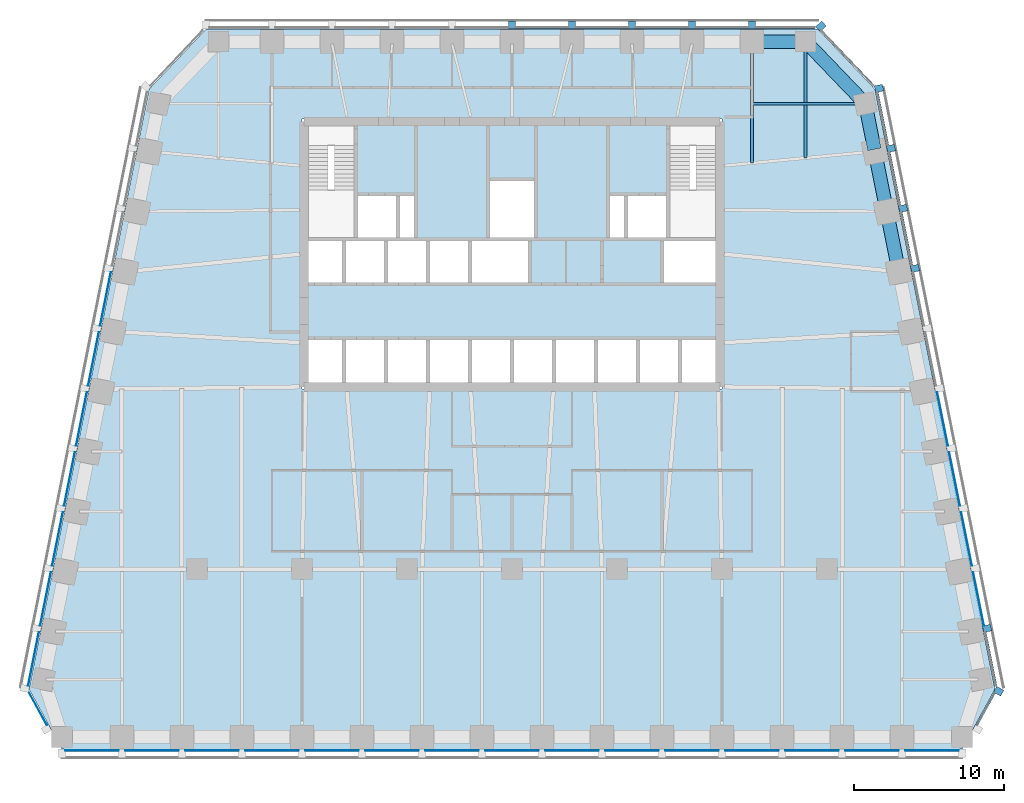
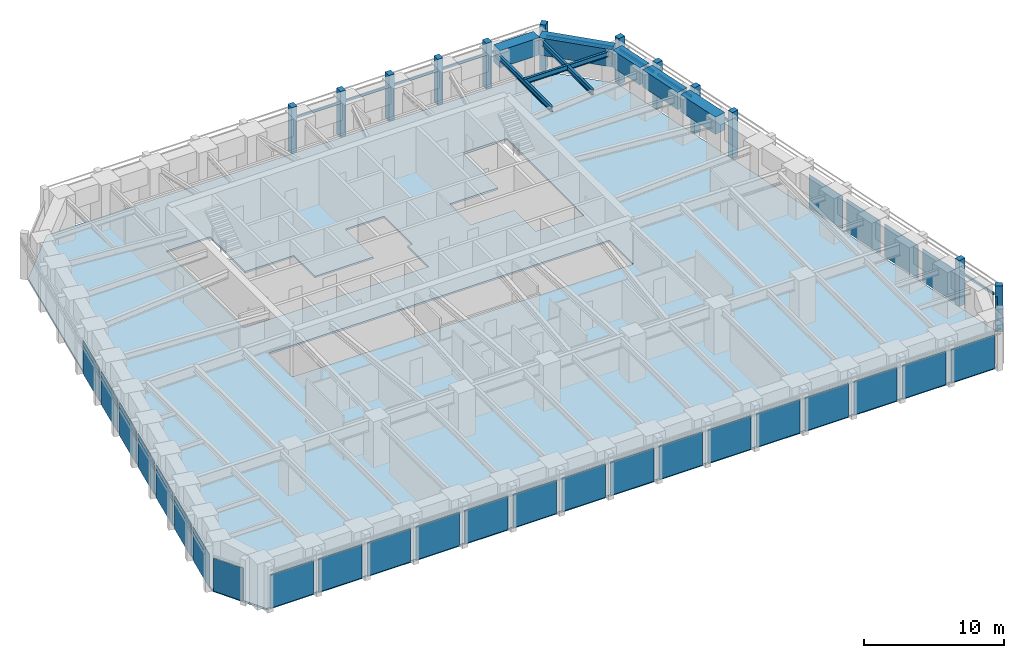
# One storey, part 4 of 9: 27 plates, 23 members, 8 beams, 1 slab, 7 elements without a shape of their own.
"""IFC4 building model written with IfcOpenShell, lengths in metres."""

from ifc_helpers import new_model, si_unit, direction, frame, origin, origin_2d, place, context, subcontext, project, spatial, polyline, rectangle, i_section, outline, extrude, material, layer, layer_set, material_profile, profile_set, type_object, element, aggregate, save


model = new_model("IFC4")

# Units and contexts
model_context = context("Model", 3, precision=1e-05, world=origin(), true_north=direction((0.0, 1.0)))
body_context = subcontext(model_context, "Body", "Model", "MODEL_VIEW")
ifc_project = project(units=[si_unit("LENGTHUNIT", "METRE"), si_unit("AREAUNIT", "SQUARE_METRE"), si_unit("VOLUMEUNIT", "CUBIC_METRE"), si_unit("PLANEANGLEUNIT", "RADIAN"), si_unit("MASSUNIT", "GRAM", prefix="KILO")], contexts=[model_context])

# Site, building, storey
site_placement = place(None, origin())
site = spatial("IfcSite", under=ifc_project, at=site_placement, CompositionType="ELEMENT")
building_placement = place(site_placement, origin())
building = spatial("IfcBuilding", under=site, at=building_placement, Name="Isbrekke Arena Tower", CompositionType="ELEMENT")
storey_placement = place(building_placement, frame((0.0, 0.0, 178.0)))
storey = spatial("IfcBuildingStorey", under=building, at=storey_placement, Name="L40", CompositionType="ELEMENT", Elevation=178.0)

# Beams
ifc_material_1 = material(Name="Steel S355", Category="steel")
ifc_material_profile_1 = material_profile(ifc_material_1, i_section(OverallWidth=0.18994140625, OverallDepth=0.449951171875, WebThickness=0.009521484375, FlangeThickness=0.0146484375, FilletRadius=0.02099609375, at=origin_2d()), Name="IPE 450")
ifc_profile_set_1 = profile_set([ifc_material_profile_1], Name="Steel S355")
beam_type_1 = type_object("IfcBeamType", Name="B2 IPE 450", PredefinedType="BEAM", material=ifc_profile_set_1)
beam_1_placement = place(storey_placement, frame((23.40283203125, 25.029296875, 3.625), z_axis=(-1.0, 0.0, 0.0), x_axis=(0.0, -1.0, 0.0)))
element("IfcBeam", 1, at=beam_1_placement, inside=storey, type_object=beam_type_1, Name="B2 beam E-E11 L40", PredefinedType="BEAM", context=body_context, shape_type="SweptSolid", body=[
    extrude(i_section(OverallWidth=0.18994140625, OverallDepth=0.449951171875, WebThickness=0.009521484375, FlangeThickness=0.0146484375, FilletRadius=0.02099609375, at=origin_2d()), origin(), (0.0, 0.0, 1.0), 7.40283203125),
])
ifc_material_2 = material(Name="Steel S355", Category="steel")
ifc_material_profile_2 = material_profile(ifc_material_2, i_section(OverallWidth=0.18994140625, OverallDepth=0.449951171875, WebThickness=0.009521484375, FlangeThickness=0.0146484375, FilletRadius=0.02099609375, at=origin_2d()), Name="IPE 450")
ifc_profile_set_2 = profile_set([ifc_material_profile_2], Name="Steel S355")
beam_type_2 = type_object("IfcBeamType", Name="B3 IPE 450", PredefinedType="BEAM", material=ifc_profile_set_2)
beam_2_placement = place(storey_placement, frame((19.574951171875, 29.02490234375, 3.625), z_axis=(0.0, -1.0, 0.0), x_axis=(1.0, 0.0, 0.0)))
element("IfcBeam", 2, at=beam_2_placement, inside=storey, type_object=beam_type_2, Name="B3 beam N-N01 L40", PredefinedType="BEAM", context=body_context, shape_type="SweptSolid", body=[
    extrude(i_section(OverallWidth=0.18994140625, OverallDepth=0.449951171875, WebThickness=0.009521484375, FlangeThickness=0.0146484375, FilletRadius=0.02099609375, at=origin_2d()), origin(), (0.0, 0.0, 1.0), 7.6103515625),
])
beam_3_placement = place(storey_placement, frame((16.0, 29.02490234375, 3.625), z_axis=(0.0, -1.0, 0.0), x_axis=(1.0, 0.0, 0.0)))
element("IfcBeam", 3, at=beam_3_placement, inside=storey, type_object=beam_type_2, Name="B3 beam N-N02 L40", PredefinedType="BEAM", context=body_context, shape_type="SweptSolid", body=[
    extrude(i_section(OverallWidth=0.18994140625, OverallDepth=0.449951171875, WebThickness=0.009521484375, FlangeThickness=0.0146484375, FilletRadius=0.02099609375, at=origin_2d()), origin(), (0.0, 0.0, 1.0), 7.949462890625),
])

# Curtain wall, member
ifc_material_3 = material(Name="Glazed aluminium curtain wall", Category="aluminium")
curtain_wall_type = type_object("IfcCurtainWallType", Name="CWH TOWER CURTAIN WALL HIGH ZONE", PredefinedType="USERDEFINED", material=ifc_material_3)
curtain_wall_1_placement = place(storey_placement, origin())
curtain_wall_1 = element("IfcCurtainWall", 4, at=curtain_wall_1_placement, inside=storey, type_object=curtain_wall_type, Name="CWH curtain wall L40-SE", ObjectType="TOWER CURTAIN WALL HIGH ZONE", PredefinedType="USERDEFINED")
ifc_material_4 = material(Name="Aluminium mullion, pale brick slip cladding", Category="masonry")
ifc_material_profile_3 = material_profile(ifc_material_4, rectangle(XDim=0.449951171875, YDim=0.550048828125, at=origin_2d()), Name="PIER 450X550")
ifc_profile_set_3 = profile_set([ifc_material_profile_3], Name="Aluminium mullion, pale brick slip cladding")
member_type_1 = type_object("IfcMemberType", Name="CWH-M PIER MULLION 450 x 550", PredefinedType="MULLION", material=ifc_profile_set_3)
member_1_placement = place(storey_placement, frame((32.44091796875, -14.132568359375, 0.0), z_axis=(0.0, 0.0, 1.0), x_axis=(0.481918749773, 0.876215908676, 0.0)))
member_1 = element("IfcMember", 5, at=member_1_placement, type_object=member_type_1, Name="CWH-M mullion 2", PredefinedType="MULLION", context=body_context, shape_type="SweptSolid", body=[
    extrude(rectangle(XDim=0.449951171875, YDim=0.550048828125, at=origin_2d()), origin(), (0.0, 0.0, 1.0), 4.0),
])

# Curtain wall, members
curtain_wall_2_placement = place(storey_placement, origin())
curtain_wall_2 = element("IfcCurtainWall", 6, at=curtain_wall_2_placement, inside=storey, type_object=curtain_wall_type, Name="CWH curtain wall L40-E", ObjectType="TOWER CURTAIN WALL HIGH ZONE", PredefinedType="USERDEFINED")
member_2_placement = place(storey_placement, frame((31.669677734375, -9.946044921875, 0.0), z_axis=(0.0, 0.0, 1.0), x_axis=(-0.196116135138, 0.980580675691, 0.0)))
member_2 = element("IfcMember", 7, at=member_2_placement, type_object=member_type_1, Name="CWH-M mullion 1", PredefinedType="MULLION", context=body_context, shape_type="SweptSolid", body=[
    extrude(rectangle(XDim=0.449951171875, YDim=0.550048828125, at=origin_2d()), origin(), (0.0, 0.0, 1.0), 4.0),
])
member_3_placement = place(storey_placement, frame((26.86962890625, 14.053955078125, 0.0), z_axis=(0.0, 0.0, 1.0), x_axis=(-0.196116135138, 0.980580675691, 0.0)))
member_3 = element("IfcMember", 8, at=member_3_placement, type_object=member_type_1, Name="CWH-M mullion 7", PredefinedType="MULLION", context=body_context, shape_type="SweptSolid", body=[
    extrude(rectangle(XDim=0.449951171875, YDim=0.550048828125, at=origin_2d()), origin(), (0.0, 0.0, 1.0), 4.0),
])
member_4_placement = place(storey_placement, frame((26.069580078125, 18.053955078125, 0.0), z_axis=(0.0, 0.0, 1.0), x_axis=(-0.196116135138, 0.980580675691, 0.0)))
member_4 = element("IfcMember", 9, at=member_4_placement, type_object=member_type_1, Name="CWH-M mullion 8", PredefinedType="MULLION", context=body_context, shape_type="SweptSolid", body=[
    extrude(rectangle(XDim=0.449951171875, YDim=0.550048828125, at=origin_2d()), origin(), (0.0, 0.0, 1.0), 4.0),
])
member_5_placement = place(storey_placement, frame((25.269775390625, 22.053955078125, 0.0), z_axis=(0.0, 0.0, 1.0), x_axis=(-0.196116135138, 0.980580675691, 0.0)))
member_5 = element("IfcMember", 10, at=member_5_placement, type_object=member_type_1, Name="CWH-M mullion 9", PredefinedType="MULLION", context=body_context, shape_type="SweptSolid", body=[
    extrude(rectangle(XDim=0.449951171875, YDim=0.550048828125, at=origin_2d()), origin(), (0.0, 0.0, 1.0), 4.0),
])
member_6_placement = place(storey_placement, frame((24.4697265625, 26.053955078125, 0.0), z_axis=(0.0, 0.0, 1.0), x_axis=(-0.196116135138, 0.980580675691, 0.0)))
member_6 = element("IfcMember", 11, at=member_6_placement, type_object=member_type_1, Name="CWH-M mullion 10", PredefinedType="MULLION", context=body_context, shape_type="SweptSolid", body=[
    extrude(rectangle(XDim=0.449951171875, YDim=0.550048828125, at=origin_2d()), origin(), (0.0, 0.0, 1.0), 4.0),
])

# Curtain wall, member
curtain_wall_3_placement = place(storey_placement, origin())
curtain_wall_3 = element("IfcCurtainWall", 12, at=curtain_wall_3_placement, inside=storey, type_object=curtain_wall_type, Name="CWH curtain wall L40-EN", ObjectType="TOWER CURTAIN WALL HIGH ZONE", PredefinedType="USERDEFINED")
member_7_placement = place(storey_placement, frame((20.599365234375, 30.189453125, 0.0), z_axis=(0.0, 0.0, 1.0), x_axis=(-0.68874946192, 0.72499943359, 0.0)))
member_7 = element("IfcMember", 13, at=member_7_placement, type_object=member_type_1, Name="CWH-M mullion 1", PredefinedType="MULLION", context=body_context, shape_type="SweptSolid", body=[
    extrude(rectangle(XDim=0.449951171875, YDim=0.550048828125, at=origin_2d()), origin(), (0.0, 0.0, 1.0), 4.0),
])

# Curtain wall, members
curtain_wall_4_placement = place(storey_placement, origin())
curtain_wall_4 = element("IfcCurtainWall", 14, at=curtain_wall_4_placement, inside=storey, type_object=curtain_wall_type, Name="CWH curtain wall L40-N", ObjectType="TOWER CURTAIN WALL HIGH ZONE", PredefinedType="USERDEFINED")
member_8_placement = place(storey_placement, frame((16.0, 30.27490234375, 0.0), z_axis=(0.0, 0.0, 1.0), x_axis=(-1.0, 0.0, 0.0)))
member_8 = element("IfcMember", 15, at=member_8_placement, type_object=member_type_1, Name="CWH-M mullion 1", PredefinedType="MULLION", context=body_context, shape_type="SweptSolid", body=[
    extrude(rectangle(XDim=0.449951171875, YDim=0.550048828125, at=origin_2d()), origin(), (0.0, 0.0, 1.0), 4.0),
])
member_9_placement = place(storey_placement, frame((12.0, 30.27490234375, 0.0), z_axis=(0.0, 0.0, 1.0), x_axis=(-1.0, 0.0, 0.0)))
member_9 = element("IfcMember", 16, at=member_9_placement, type_object=member_type_1, Name="CWH-M mullion 2", PredefinedType="MULLION", context=body_context, shape_type="SweptSolid", body=[
    extrude(rectangle(XDim=0.449951171875, YDim=0.550048828125, at=origin_2d()), origin(), (0.0, 0.0, 1.0), 4.0),
])
member_10_placement = place(storey_placement, frame((8.0, 30.27490234375, 0.0), z_axis=(0.0, 0.0, 1.0), x_axis=(-1.0, 0.0, 0.0)))
member_10 = element("IfcMember", 17, at=member_10_placement, type_object=member_type_1, Name="CWH-M mullion 3", PredefinedType="MULLION", context=body_context, shape_type="SweptSolid", body=[
    extrude(rectangle(XDim=0.449951171875, YDim=0.550048828125, at=origin_2d()), origin(), (0.0, 0.0, 1.0), 4.0),
])
member_11_placement = place(storey_placement, frame((4.0, 30.27490234375, 0.0), z_axis=(0.0, 0.0, 1.0), x_axis=(-1.0, 0.0, 0.0)))
member_11 = element("IfcMember", 18, at=member_11_placement, type_object=member_type_1, Name="CWH-M mullion 4", PredefinedType="MULLION", context=body_context, shape_type="SweptSolid", body=[
    extrude(rectangle(XDim=0.449951171875, YDim=0.550048828125, at=origin_2d()), origin(), (0.0, 0.0, 1.0), 4.0),
])
member_12_placement = place(storey_placement, frame((0.0, 30.27490234375, 0.0), z_axis=(0.0, 0.0, 1.0), x_axis=(-1.0, 0.0, 0.0)))
member_12 = element("IfcMember", 19, at=member_12_placement, type_object=member_type_1, Name="CWH-M mullion 5", PredefinedType="MULLION", context=body_context, shape_type="SweptSolid", body=[
    extrude(rectangle(XDim=0.449951171875, YDim=0.550048828125, at=origin_2d()), origin(), (0.0, 0.0, 1.0), 4.0),
])

# Member
ifc_material_5 = material(Name="Aluminium transom", Category="aluminium")
ifc_material_profile_4 = material_profile(ifc_material_5, rectangle(XDim=0.1201171875, YDim=0.199951171875, at=origin_2d()), Name="TRANSOM 120X200")
ifc_profile_set_4 = profile_set([ifc_material_profile_4], Name="Aluminium transom")
member_type_2 = type_object("IfcMemberType", Name="CWH-T TRANSOM 120 x 200", PredefinedType="USERDEFINED", material=ifc_profile_set_4)
member_13_placement = place(storey_placement, frame((31.002197265625, -16.38525390625, 3.0), z_axis=(0.481937937062, 0.876205355393, 0.0), x_axis=(-0.876205355393, 0.481937937062, 0.0)))
member_13 = element("IfcMember", 20, at=member_13_placement, type_object=member_type_2, Name="CWH-T transom 1", ObjectType="TRANSOM", PredefinedType="USERDEFINED", context=body_context, shape_type="SweptSolid", body=[
    extrude(rectangle(XDim=0.1201171875, YDim=0.199951171875, at=origin_2d()), origin(), (0.0, 0.0, 1.0), 2.442138671875),
])

aggregate(curtain_wall_1, [member_1, member_13])

member_14_placement = place(storey_placement, frame((32.25390625, -13.759765625, 3.0), z_axis=(-0.196090262229, 0.980585849918, 0.0), x_axis=(-0.980585849918, -0.196090262229, 0.0)))
member_14 = element("IfcMember", 21, at=member_14_placement, type_object=member_type_2, Name="CWH-T transom 1", ObjectType="TRANSOM", PredefinedType="USERDEFINED", context=body_context, shape_type="SweptSolid", body=[
    extrude(rectangle(XDim=0.1201171875, YDim=0.199951171875, at=origin_2d()), origin(), (0.0, 0.0, 1.0), 3.62939453125),
])

member_15_placement = place(storey_placement, frame((26.654052734375, 14.240234375, 3.0), z_axis=(-0.196154943734, 0.980572913173, 0.0), x_axis=(-0.980572913173, -0.196154943734, 0.0)))
member_15 = element("IfcMember", 22, at=member_15_placement, type_object=member_type_2, Name="CWH-T transom 8", ObjectType="TRANSOM", PredefinedType="USERDEFINED", context=body_context, shape_type="SweptSolid", body=[
    extrude(rectangle(XDim=0.1201171875, YDim=0.199951171875, at=origin_2d()), origin(), (0.0, 0.0, 1.0), 3.62939453125),
])

member_16_placement = place(storey_placement, frame((25.85400390625, 18.240234375, 3.0), z_axis=(-0.196154943734, 0.980572913173, 0.0), x_axis=(-0.980572913173, -0.196154943734, 0.0)))
member_16 = element("IfcMember", 23, at=member_16_placement, type_object=member_type_2, Name="CWH-T transom 9", ObjectType="TRANSOM", PredefinedType="USERDEFINED", context=body_context, shape_type="SweptSolid", body=[
    extrude(rectangle(XDim=0.1201171875, YDim=0.199951171875, at=origin_2d()), origin(), (0.0, 0.0, 1.0), 3.62939453125),
])

member_17_placement = place(storey_placement, frame((25.053955078125, 22.240234375, 3.0), z_axis=(-0.196090262229, 0.980585849918, 0.0), x_axis=(-0.980585849918, -0.196090262229, 0.0)))
member_17 = element("IfcMember", 24, at=member_17_placement, type_object=member_type_2, Name="CWH-T transom 10", ObjectType="TRANSOM", PredefinedType="USERDEFINED", context=body_context, shape_type="SweptSolid", body=[
    extrude(rectangle(XDim=0.1201171875, YDim=0.199951171875, at=origin_2d()), origin(), (0.0, 0.0, 1.0), 3.62939453125),
])

member_18_placement = place(storey_placement, frame((24.117431640625, 26.23193359375, 3.0), z_axis=(-0.688734266994, 0.725013868466, 0.0), x_axis=(-0.725013868466, -0.688734266994, 0.0)))
member_18 = element("IfcMember", 25, at=member_18_placement, type_object=member_type_2, Name="CWH-T transom 1", ObjectType="TRANSOM", PredefinedType="USERDEFINED", context=body_context, shape_type="SweptSolid", body=[
    extrude(rectangle(XDim=0.1201171875, YDim=0.199951171875, at=origin_2d()), origin(), (0.0, 0.0, 1.0), 5.067138671875),
])

aggregate(curtain_wall_3, [member_7, member_18])

member_19_placement = place(storey_placement, frame((20.175048828125, 30.10009765625, 3.0), z_axis=(-1.0, 0.0, 0.0), x_axis=(0.0, -1.0, 0.0)))
member_19 = element("IfcMember", 26, at=member_19_placement, type_object=member_type_2, Name="CWH-T transom 1", ObjectType="TRANSOM", PredefinedType="USERDEFINED", context=body_context, shape_type="SweptSolid", body=[
    extrude(rectangle(XDim=0.1201171875, YDim=0.199951171875, at=origin_2d()), origin(), (0.0, 0.0, 1.0), 3.949951171875),
])

member_20_placement = place(storey_placement, frame((15.77490234375, 30.10009765625, 3.0), z_axis=(-1.0, 0.0, 0.0), x_axis=(0.0, -1.0, 0.0)))
member_20 = element("IfcMember", 27, at=member_20_placement, type_object=member_type_2, Name="CWH-T transom 2", ObjectType="TRANSOM", PredefinedType="USERDEFINED", context=body_context, shape_type="SweptSolid", body=[
    extrude(rectangle(XDim=0.1201171875, YDim=0.199951171875, at=origin_2d()), origin(), (0.0, 0.0, 1.0), 3.5498046875),
])

member_21_placement = place(storey_placement, frame((11.77490234375, 30.10009765625, 3.0), z_axis=(-1.0, 0.0, 0.0), x_axis=(0.0, -1.0, 0.0)))
member_21 = element("IfcMember", 28, at=member_21_placement, type_object=member_type_2, Name="CWH-T transom 3", ObjectType="TRANSOM", PredefinedType="USERDEFINED", context=body_context, shape_type="SweptSolid", body=[
    extrude(rectangle(XDim=0.1201171875, YDim=0.199951171875, at=origin_2d()), origin(), (0.0, 0.0, 1.0), 3.5498046875),
])

member_22_placement = place(storey_placement, frame((7.77490234375, 30.10009765625, 3.0), z_axis=(-1.0, 0.0, 0.0), x_axis=(0.0, -1.0, 0.0)))
member_22 = element("IfcMember", 29, at=member_22_placement, type_object=member_type_2, Name="CWH-T transom 4", ObjectType="TRANSOM", PredefinedType="USERDEFINED", context=body_context, shape_type="SweptSolid", body=[
    extrude(rectangle(XDim=0.1201171875, YDim=0.199951171875, at=origin_2d()), origin(), (0.0, 0.0, 1.0), 3.5498046875),
])

member_23_placement = place(storey_placement, frame((3.77490234375, 30.10009765625, 3.0), z_axis=(-1.0, 0.0, 0.0), x_axis=(0.0, -1.0, 0.0)))
member_23 = element("IfcMember", 30, at=member_23_placement, type_object=member_type_2, Name="CWH-T transom 5", ObjectType="TRANSOM", PredefinedType="USERDEFINED", context=body_context, shape_type="SweptSolid", body=[
    extrude(rectangle(XDim=0.1201171875, YDim=0.199951171875, at=origin_2d()), origin(), (0.0, 0.0, 1.0), 3.5498046875),
])

aggregate(curtain_wall_4, [member_8, member_9, member_10, member_11, member_12, member_19, member_20, member_21, member_22, member_23])

# Beams
ifc_material_6 = material(Name="Concrete B65 (C65/80)", Category="concrete")
ifc_material_profile_5 = material_profile(ifc_material_6, rectangle(XDim=0.89990234375, YDim=1.5, at=origin_2d()), Name="RC 900x1500")
ifc_profile_set_5 = profile_set([ifc_material_profile_5], Name="Concrete B65 (C65/80)")
beam_type_3 = type_object("IfcBeamType", Name="SB3 RC 900 x 1500", PredefinedType="SPANDREL", material=ifc_profile_set_5)
for number, where, z_axis, x_axis, name in (
    (31, (25.76171875, 13.9853515625, 3.25), (-0.196128558387, 0.980578190959, 0.0), (-0.980578190959, -0.196128558387, 0.0), "SB3 spandrel E08-E09 L40"),
    (32, (24.961669921875, 17.9853515625, 3.25), (-0.196128558387, 0.980578190959, 0.0), (-0.980578190959, -0.196128558387, 0.0), "SB3 spandrel E09-E10 L40"),
):
    element("IfcBeam", number, at=place(storey_placement, frame(where, z_axis=z_axis, x_axis=x_axis)), inside=storey, type_object=beam_type_3, Name=name, PredefinedType="SPANDREL", context=body_context, shape_type="SweptSolid", body=[
        extrude(rectangle(XDim=0.89990234375, YDim=1.5, at=origin_2d()), origin(), (0.0, 0.0, 1.0), 3.779296875),
    ])
beam_4_placement = place(storey_placement, frame((24.16162109375, 21.9853515625, 3.25), z_axis=(-0.196116135138, 0.980580675691, 0.0), x_axis=(-0.980580675691, -0.196116135138, 0.0)))
element("IfcBeam", 33, at=beam_4_placement, inside=storey, type_object=beam_type_3, Name="SB3 spandrel E10-E11 L40", PredefinedType="SPANDREL", context=body_context, shape_type="SweptSolid", body=[
    extrude(rectangle(XDim=0.89990234375, YDim=1.5, at=origin_2d()), origin(), (0.0, 0.0, 1.0), 2.9541015625),
])
beam_5_placement = place(storey_placement, frame((23.448974609375, 25.137451171875, 3.25), z_axis=(-0.692339547635, 0.721571861134, 0.0), x_axis=(-0.721571861134, -0.692339547635, 0.0)))
element("IfcBeam", 34, at=beam_5_placement, inside=storey, type_object=beam_type_3, Name="SB3 spandrel E11-N01 L40", PredefinedType="SPANDREL", context=body_context, shape_type="SweptSolid", body=[
    extrude(rectangle(XDim=0.89990234375, YDim=1.5, at=origin_2d()), origin(), (0.0, 0.0, 1.0), 5.4453125),
])
beam_6_placement = place(storey_placement, frame((19.425048828125, 29.175048828125, 3.25), z_axis=(-1.0, 0.0, 0.0), x_axis=(0.0, -1.0, 0.0)))
element("IfcBeam", 35, at=beam_6_placement, inside=storey, type_object=beam_type_3, Name="SB3 spandrel N01-N02 L40", PredefinedType="SPANDREL", context=body_context, shape_type="SweptSolid", body=[
    extrude(rectangle(XDim=0.89990234375, YDim=1.5, at=origin_2d()), origin(), (0.0, 0.0, 1.0), 3.275146484375),
])

# Curtain wall, plates
curtain_wall_5_placement = place(storey_placement, origin())
curtain_wall_5 = element("IfcCurtainWall", 36, at=curtain_wall_5_placement, inside=storey, type_object=curtain_wall_type, Name="CWH curtain wall L40-S", ObjectType="TOWER CURTAIN WALL HIGH ZONE", PredefinedType="USERDEFINED")
ifc_material_7 = material(Name="Triple-glazed clear glass unit", Category="glass")
ifc_layer_1 = layer(ifc_material_7, 0.031982421875)
ifc_layer_set_1 = layer_set([ifc_layer_1], Name="CWH-P VISION PANEL")
plate_type = type_object("IfcPlateType", Name="CWH-P VISION PANEL", PredefinedType="CURTAIN_PANEL", material=ifc_layer_set_1)
plate_1_placement = place(storey_placement, frame((-28.0, -18.10009765625, 0.02001953125), z_axis=(0.0, 0.0, 1.0), x_axis=(1.0, 0.0, 0.0)))
plate_1 = element("IfcPlate", 37, at=plate_1_placement, type_object=plate_type, Name="CWH-P panel 1", PredefinedType="CURTAIN_PANEL", context=body_context, shape_type="SweptSolid", body=[
    extrude(rectangle(XDim=3.550048828125, YDim=0.031982421875, at=origin_2d()), origin(), (0.0, 0.0, 1.0), 2.8798828125),
])
plate_2_placement = place(storey_placement, frame((-24.0, -18.10009765625, 0.02001953125), z_axis=(0.0, 0.0, 1.0), x_axis=(1.0, 0.0, 0.0)))
plate_2 = element("IfcPlate", 38, at=plate_2_placement, type_object=plate_type, Name="CWH-P panel 2", PredefinedType="CURTAIN_PANEL", context=body_context, shape_type="SweptSolid", body=[
    extrude(rectangle(XDim=3.550048828125, YDim=0.031982421875, at=origin_2d()), origin(), (0.0, 0.0, 1.0), 2.8798828125),
])
plate_3_placement = place(storey_placement, frame((-20.0, -18.10009765625, 0.02001953125), z_axis=(0.0, 0.0, 1.0), x_axis=(1.0, 0.0, 0.0)))
plate_3 = element("IfcPlate", 39, at=plate_3_placement, type_object=plate_type, Name="CWH-P panel 3", PredefinedType="CURTAIN_PANEL", context=body_context, shape_type="SweptSolid", body=[
    extrude(rectangle(XDim=3.550048828125, YDim=0.031982421875, at=origin_2d()), origin(), (0.0, 0.0, 1.0), 2.8798828125),
])
plate_4_placement = place(storey_placement, frame((-16.0, -18.10009765625, 0.02001953125), z_axis=(0.0, 0.0, 1.0), x_axis=(1.0, 0.0, 0.0)))
plate_4 = element("IfcPlate", 40, at=plate_4_placement, type_object=plate_type, Name="CWH-P panel 4", PredefinedType="CURTAIN_PANEL", context=body_context, shape_type="SweptSolid", body=[
    extrude(rectangle(XDim=3.550048828125, YDim=0.031982421875, at=origin_2d()), origin(), (0.0, 0.0, 1.0), 2.8798828125),
])
plate_5_placement = place(storey_placement, frame((-12.0, -18.10009765625, 0.02001953125), z_axis=(0.0, 0.0, 1.0), x_axis=(1.0, 0.0, 0.0)))
plate_5 = element("IfcPlate", 41, at=plate_5_placement, type_object=plate_type, Name="CWH-P panel 5", PredefinedType="CURTAIN_PANEL", context=body_context, shape_type="SweptSolid", body=[
    extrude(rectangle(XDim=3.550048828125, YDim=0.031982421875, at=origin_2d()), origin(), (0.0, 0.0, 1.0), 2.8798828125),
])
plate_6_placement = place(storey_placement, frame((-8.0, -18.10009765625, 0.02001953125), z_axis=(0.0, 0.0, 1.0), x_axis=(1.0, 0.0, 0.0)))
plate_6 = element("IfcPlate", 42, at=plate_6_placement, type_object=plate_type, Name="CWH-P panel 6", PredefinedType="CURTAIN_PANEL", context=body_context, shape_type="SweptSolid", body=[
    extrude(rectangle(XDim=3.550048828125, YDim=0.031982421875, at=origin_2d()), origin(), (0.0, 0.0, 1.0), 2.8798828125),
])
plate_7_placement = place(storey_placement, frame((-4.0, -18.10009765625, 0.02001953125), z_axis=(0.0, 0.0, 1.0), x_axis=(1.0, 0.0, 0.0)))
plate_7 = element("IfcPlate", 43, at=plate_7_placement, type_object=plate_type, Name="CWH-P panel 7", PredefinedType="CURTAIN_PANEL", context=body_context, shape_type="SweptSolid", body=[
    extrude(rectangle(XDim=3.550048828125, YDim=0.031982421875, at=origin_2d()), origin(), (0.0, 0.0, 1.0), 2.8798828125),
])
plate_8_placement = place(storey_placement, frame((0.0, -18.10009765625, 0.02001953125), z_axis=(0.0, 0.0, 1.0), x_axis=(1.0, 0.0, 0.0)))
plate_8 = element("IfcPlate", 44, at=plate_8_placement, type_object=plate_type, Name="CWH-P panel 8", PredefinedType="CURTAIN_PANEL", context=body_context, shape_type="SweptSolid", body=[
    extrude(rectangle(XDim=3.550048828125, YDim=0.031982421875, at=origin_2d()), origin(), (0.0, 0.0, 1.0), 2.8798828125),
])
plate_9_placement = place(storey_placement, frame((4.0, -18.10009765625, 0.02001953125), z_axis=(0.0, 0.0, 1.0), x_axis=(1.0, 0.0, 0.0)))
plate_9 = element("IfcPlate", 45, at=plate_9_placement, type_object=plate_type, Name="CWH-P panel 9", PredefinedType="CURTAIN_PANEL", context=body_context, shape_type="SweptSolid", body=[
    extrude(rectangle(XDim=3.550048828125, YDim=0.031982421875, at=origin_2d()), origin(), (0.0, 0.0, 1.0), 2.8798828125),
])
plate_10_placement = place(storey_placement, frame((8.0, -18.10009765625, 0.02001953125), z_axis=(0.0, 0.0, 1.0), x_axis=(1.0, 0.0, 0.0)))
plate_10 = element("IfcPlate", 46, at=plate_10_placement, type_object=plate_type, Name="CWH-P panel 10", PredefinedType="CURTAIN_PANEL", context=body_context, shape_type="SweptSolid", body=[
    extrude(rectangle(XDim=3.550048828125, YDim=0.031982421875, at=origin_2d()), origin(), (0.0, 0.0, 1.0), 2.8798828125),
])
plate_11_placement = place(storey_placement, frame((12.0, -18.10009765625, 0.02001953125), z_axis=(0.0, 0.0, 1.0), x_axis=(1.0, 0.0, 0.0)))
plate_11 = element("IfcPlate", 47, at=plate_11_placement, type_object=plate_type, Name="CWH-P panel 11", PredefinedType="CURTAIN_PANEL", context=body_context, shape_type="SweptSolid", body=[
    extrude(rectangle(XDim=3.550048828125, YDim=0.031982421875, at=origin_2d()), origin(), (0.0, 0.0, 1.0), 2.8798828125),
])
plate_12_placement = place(storey_placement, frame((16.0, -18.10009765625, 0.02001953125), z_axis=(0.0, 0.0, 1.0), x_axis=(1.0, 0.0, 0.0)))
plate_12 = element("IfcPlate", 48, at=plate_12_placement, type_object=plate_type, Name="CWH-P panel 12", PredefinedType="CURTAIN_PANEL", context=body_context, shape_type="SweptSolid", body=[
    extrude(rectangle(XDim=3.550048828125, YDim=0.031982421875, at=origin_2d()), origin(), (0.0, 0.0, 1.0), 2.8798828125),
])
plate_13_placement = place(storey_placement, frame((20.0, -18.10009765625, 0.02001953125), z_axis=(0.0, 0.0, 1.0), x_axis=(1.0, 0.0, 0.0)))
plate_13 = element("IfcPlate", 49, at=plate_13_placement, type_object=plate_type, Name="CWH-P panel 13", PredefinedType="CURTAIN_PANEL", context=body_context, shape_type="SweptSolid", body=[
    extrude(rectangle(XDim=3.550048828125, YDim=0.031982421875, at=origin_2d()), origin(), (0.0, 0.0, 1.0), 2.8798828125),
])
plate_14_placement = place(storey_placement, frame((24.0, -18.10009765625, 0.02001953125), z_axis=(0.0, 0.0, 1.0), x_axis=(1.0, 0.0, 0.0)))
plate_14 = element("IfcPlate", 50, at=plate_14_placement, type_object=plate_type, Name="CWH-P panel 14", PredefinedType="CURTAIN_PANEL", context=body_context, shape_type="SweptSolid", body=[
    extrude(rectangle(XDim=3.550048828125, YDim=0.031982421875, at=origin_2d()), origin(), (0.0, 0.0, 1.0), 2.8798828125),
])
plate_15_placement = place(storey_placement, frame((28.0, -18.10009765625, 0.02001953125), z_axis=(0.0, 0.0, 1.0), x_axis=(1.0, 0.0, 0.0)))
plate_15 = element("IfcPlate", 51, at=plate_15_placement, type_object=plate_type, Name="CWH-P panel 15", PredefinedType="CURTAIN_PANEL", context=body_context, shape_type="SweptSolid", body=[
    extrude(rectangle(XDim=3.550048828125, YDim=0.031982421875, at=origin_2d()), origin(), (0.0, 0.0, 1.0), 2.8798828125),
])
aggregate(curtain_wall_5, [plate_1, plate_2, plate_3, plate_4, plate_5, plate_6, plate_7, plate_8, plate_9, plate_10, plate_11, plate_12, plate_13, plate_14, plate_15])

# Plate
plate_16_placement = place(storey_placement, frame((31.09814453125, -7.98046875, 0.02001953125), z_axis=(0.0, 0.0, 1.0), x_axis=(-0.196116135138, 0.980580675691, 0.0)))
plate_16 = element("IfcPlate", 52, at=plate_16_placement, type_object=plate_type, Name="CWH-P panel 2", PredefinedType="CURTAIN_PANEL", context=body_context, shape_type="SweptSolid", body=[
    extrude(rectangle(XDim=3.629150390625, YDim=0.031982421875, at=origin_2d()), origin(), (0.0, 0.0, 1.0), 2.8798828125),
])

plate_17_placement = place(storey_placement, frame((30.298095703125, -3.98046875, 0.02001953125), z_axis=(0.0, 0.0, 1.0), x_axis=(-0.196116135138, 0.980580675691, 0.0)))
plate_17 = element("IfcPlate", 53, at=plate_17_placement, type_object=plate_type, Name="CWH-P panel 3", PredefinedType="CURTAIN_PANEL", context=body_context, shape_type="SweptSolid", body=[
    extrude(rectangle(XDim=3.629150390625, YDim=0.031982421875, at=origin_2d()), origin(), (0.0, 0.0, 1.0), 2.8798828125),
])

plate_18_placement = place(storey_placement, frame((29.498046875, 0.01953125, 0.02001953125), z_axis=(0.0, 0.0, 1.0), x_axis=(-0.196116135138, 0.980580675691, 0.0)))
plate_18 = element("IfcPlate", 54, at=plate_18_placement, type_object=plate_type, Name="CWH-P panel 4", PredefinedType="CURTAIN_PANEL", context=body_context, shape_type="SweptSolid", body=[
    extrude(rectangle(XDim=3.629150390625, YDim=0.031982421875, at=origin_2d()), origin(), (0.0, 0.0, 1.0), 2.8798828125),
])

plate_19_placement = place(storey_placement, frame((28.697998046875, 4.01953125, 0.02001953125), z_axis=(0.0, 0.0, 1.0), x_axis=(-0.196116135138, 0.980580675691, 0.0)))
plate_19 = element("IfcPlate", 55, at=plate_19_placement, type_object=plate_type, Name="CWH-P panel 5", PredefinedType="CURTAIN_PANEL", context=body_context, shape_type="SweptSolid", body=[
    extrude(rectangle(XDim=3.629150390625, YDim=0.031982421875, at=origin_2d()), origin(), (0.0, 0.0, 1.0), 2.8798828125),
])

aggregate(curtain_wall_2, [member_2, member_3, member_4, member_5, member_6, member_14, plate_16, plate_17, plate_18, plate_19, member_15, member_16, member_17])

# Curtain wall, plates
curtain_wall_6_placement = place(storey_placement, origin())
curtain_wall_6 = element("IfcCurtainWall", 56, at=curtain_wall_6_placement, inside=storey, type_object=curtain_wall_type, Name="CWH curtain wall L40-W", ObjectType="TOWER CURTAIN WALL HIGH ZONE", PredefinedType="USERDEFINED")
plate_20_placement = place(storey_placement, frame((-27.09814453125, 12.01953125, 0.02001953125), z_axis=(0.0, 0.0, 1.0), x_axis=(-0.196116135138, -0.980580675691, 0.0)))
plate_20 = element("IfcPlate", 57, at=plate_20_placement, type_object=plate_type, Name="CWH-P panel 4", PredefinedType="CURTAIN_PANEL", context=body_context, shape_type="SweptSolid", body=[
    extrude(rectangle(XDim=3.629150390625, YDim=0.031982421875, at=origin_2d()), origin(), (0.0, 0.0, 1.0), 2.8798828125),
])
plate_21_placement = place(storey_placement, frame((-27.89794921875, 8.01953125, 0.02001953125), z_axis=(0.0, 0.0, 1.0), x_axis=(-0.196116135138, -0.980580675691, 0.0)))
plate_21 = element("IfcPlate", 58, at=plate_21_placement, type_object=plate_type, Name="CWH-P panel 5", PredefinedType="CURTAIN_PANEL", context=body_context, shape_type="SweptSolid", body=[
    extrude(rectangle(XDim=3.629150390625, YDim=0.031982421875, at=origin_2d()), origin(), (0.0, 0.0, 1.0), 2.8798828125),
])
plate_22_placement = place(storey_placement, frame((-28.697998046875, 4.01953125, 0.02001953125), z_axis=(0.0, 0.0, 1.0), x_axis=(-0.196116135138, -0.980580675691, 0.0)))
plate_22 = element("IfcPlate", 59, at=plate_22_placement, type_object=plate_type, Name="CWH-P panel 6", PredefinedType="CURTAIN_PANEL", context=body_context, shape_type="SweptSolid", body=[
    extrude(rectangle(XDim=3.629150390625, YDim=0.031982421875, at=origin_2d()), origin(), (0.0, 0.0, 1.0), 2.8798828125),
])
plate_23_placement = place(storey_placement, frame((-29.498046875, 0.01953125, 0.02001953125), z_axis=(0.0, 0.0, 1.0), x_axis=(-0.196116135138, -0.980580675691, 0.0)))
plate_23 = element("IfcPlate", 60, at=plate_23_placement, type_object=plate_type, Name="CWH-P panel 7", PredefinedType="CURTAIN_PANEL", context=body_context, shape_type="SweptSolid", body=[
    extrude(rectangle(XDim=3.629150390625, YDim=0.031982421875, at=origin_2d()), origin(), (0.0, 0.0, 1.0), 2.8798828125),
])
plate_24_placement = place(storey_placement, frame((-30.298095703125, -3.98046875, 0.02001953125), z_axis=(0.0, 0.0, 1.0), x_axis=(-0.196116135138, -0.980580675691, 0.0)))
plate_24 = element("IfcPlate", 61, at=plate_24_placement, type_object=plate_type, Name="CWH-P panel 8", PredefinedType="CURTAIN_PANEL", context=body_context, shape_type="SweptSolid", body=[
    extrude(rectangle(XDim=3.629150390625, YDim=0.031982421875, at=origin_2d()), origin(), (0.0, 0.0, 1.0), 2.8798828125),
])
plate_25_placement = place(storey_placement, frame((-31.09814453125, -7.98046875, 0.02001953125), z_axis=(0.0, 0.0, 1.0), x_axis=(-0.196116135138, -0.980580675691, 0.0)))
plate_25 = element("IfcPlate", 62, at=plate_25_placement, type_object=plate_type, Name="CWH-P panel 9", PredefinedType="CURTAIN_PANEL", context=body_context, shape_type="SweptSolid", body=[
    extrude(rectangle(XDim=3.629150390625, YDim=0.031982421875, at=origin_2d()), origin(), (0.0, 0.0, 1.0), 2.8798828125),
])
plate_26_placement = place(storey_placement, frame((-31.89794921875, -11.98046875, 0.02001953125), z_axis=(0.0, 0.0, 1.0), x_axis=(-0.196116135138, -0.980580675691, 0.0)))
plate_26 = element("IfcPlate", 63, at=plate_26_placement, type_object=plate_type, Name="CWH-P panel 10", PredefinedType="CURTAIN_PANEL", context=body_context, shape_type="SweptSolid", body=[
    extrude(rectangle(XDim=3.629150390625, YDim=0.031982421875, at=origin_2d()), origin(), (0.0, 0.0, 1.0), 2.8798828125),
])
aggregate(curtain_wall_6, [plate_20, plate_21, plate_22, plate_23, plate_24, plate_25, plate_26])

# Curtain wall, plate
curtain_wall_7_placement = place(storey_placement, origin())
curtain_wall_7 = element("IfcCurtainWall", 64, at=curtain_wall_7_placement, inside=storey, type_object=curtain_wall_type, Name="CWH curtain wall L40-WS", ObjectType="TOWER CURTAIN WALL HIGH ZONE", PredefinedType="USERDEFINED")
plate_27_placement = place(storey_placement, frame((-31.59033203125, -15.31591796875, 0.02001953125), z_axis=(0.0, 0.0, 1.0), x_axis=(0.481918749773, -0.876215908676, 0.0)))
plate_27 = element("IfcPlate", 65, at=plate_27_placement, type_object=plate_type, Name="CWH-P panel 1", PredefinedType="CURTAIN_PANEL", context=body_context, shape_type="SweptSolid", body=[
    extrude(rectangle(XDim=2.443603515625, YDim=0.031982421875, at=origin_2d()), origin(), (0.0, 0.0, 1.0), 2.8798828125),
])
aggregate(curtain_wall_7, [plate_27])

# Slab
ifc_material_8 = material(Name="Concrete B35 (C35/45)", Category="concrete")
ifc_layer_2 = layer(ifc_material_8, 0.14990234375)
ifc_layer_set_2 = layer_set([ifc_layer_2], Name="FS1 COMPOSITE FLOOR 150")
slab_type = type_object("IfcSlabType", Name="FS1 COMPOSITE FLOOR 150", PredefinedType="FLOOR", material=ifc_layer_set_2)
slab_placement = place(storey_placement, frame((0.0, 0.0, -0.14990234375)))
element("IfcSlab", 66, at=slab_placement, inside=storey, type_object=slab_type, Name="FS1 floor slab L40", PredefinedType="FLOOR", context=body_context, shape_type="SweptSolid", body=[
    extrude(outline(polyline([(-30.0, -18.0), (30.0, -18.0), (32.199951171875, -14.0), (24.199951171875, 26.0), (20.39990234375, 30.0), (-20.39990234375, 30.0), (-24.199951171875, 26.0), (-32.199951171875, -14.0), (-30.0, -18.0)]), holes=[polyline([(14.0, 9.39990234375), (14.0, 6.0), (-14.0, 6.0), (-14.0, 9.39990234375), (14.0, 9.39990234375)]), polyline([(-6.39990234375, 19.0), (-6.39990234375, 16.0), (-1.60009765625, 16.0), (-1.60009765625, 20.0), (1.60009765625, 20.0), (1.60009765625, 16.0), (1.199951171875, 16.0), (1.199951171875, 13.0), (-14.0, 13.0), (-14.0, 24.0), (-10.39990234375, 24.0), (-10.39990234375, 19.0), (-6.39990234375, 19.0)]), polyline([(10.0, 13.0), (10.0, 16.0), (6.39990234375, 16.0), (6.39990234375, 19.0), (10.39990234375, 19.0), (10.39990234375, 24.0), (14.0, 24.0), (14.0, 13.0), (10.0, 13.0)])]), origin(), (0.0, 0.0, 1.0), 0.14990234375),
])

save(model, "model.ifc")
